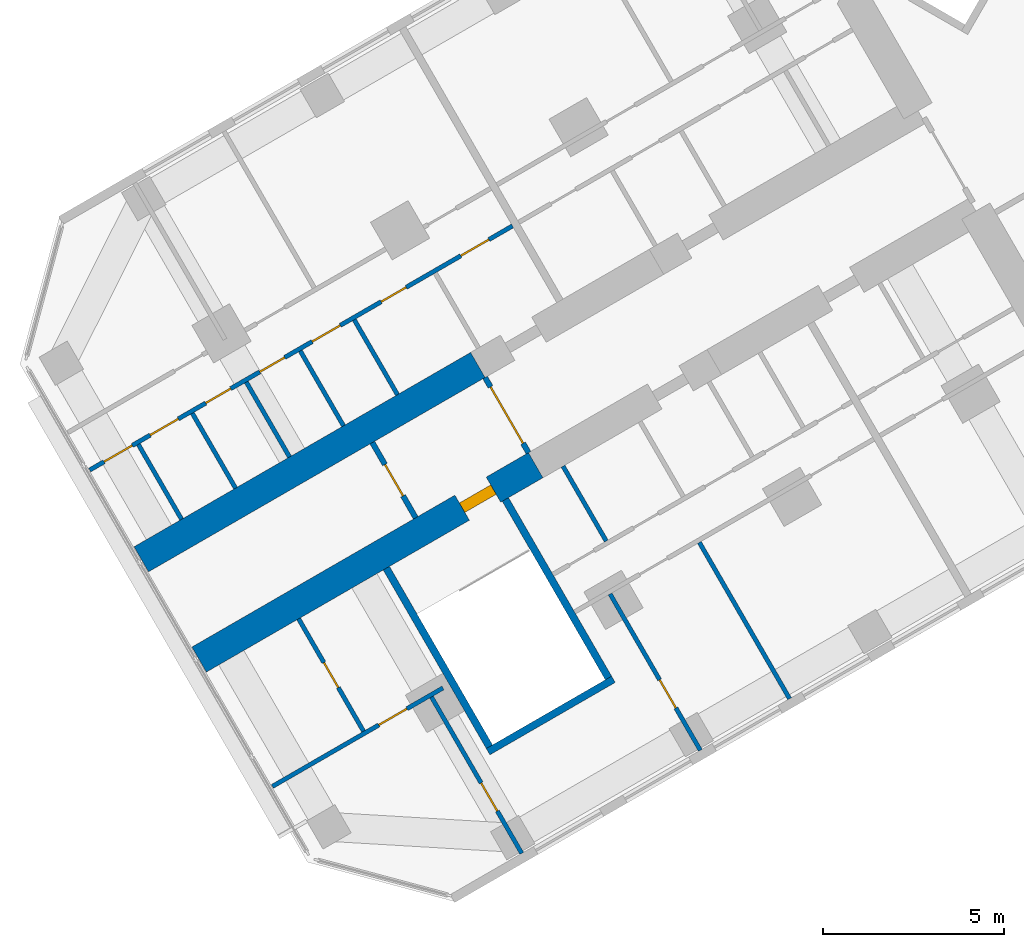
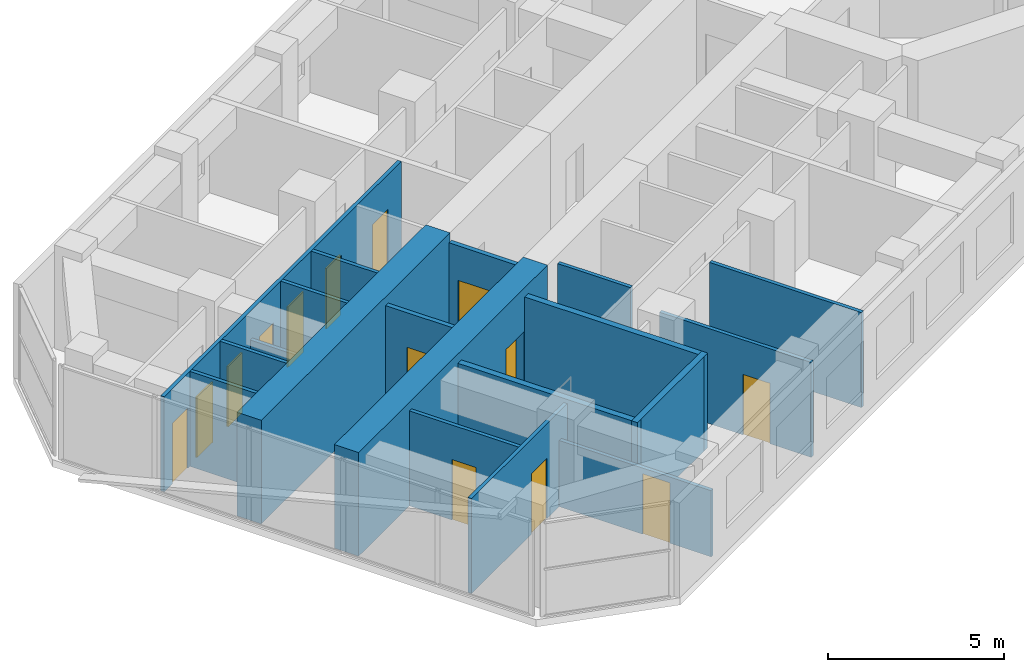
# One storey, part 10 of 20: 19 walls, 14 doors, 14 openings.
"""IFC4 building model written with IfcOpenShell, lengths in metres."""

import ifcopenshell
import ifcopenshell.guid

model = None  # the IFC model being written
_history = None  # IfcOwnerHistory: only IFC2X3 demands one
_inside = {}  # id of a spatial element -> (the spatial element, [elements in it])
_under = {}  # id of a project, library or spatial element -> (it, [spatial elements below it])
_declared = {}  # id of a project -> (the project, [libraries it declares])
_typed = {}  # id of a type object -> (the type object, [elements of that type])
_made_of = {}  # id of a material, layer set ... -> (it, [elements and type objects made of it])


def new_model(schema):
    """Start an empty IFC model of exactly this schema.

    Asked for "IFC4X3", IfcOpenShell would pick the latest addendum, in which some entities
    have other attributes; the version numbers below select the first issue.
    IFC2X3 requires an IfcOwnerHistory on every rooted entity: one is made here for all.
    """
    global model, _history
    if schema == "IFC4X3":
        model = ifcopenshell.file(schema_version=(4, 3, 0, 0))
    else:
        model = ifcopenshell.file(schema=schema)
    _inside.clear()
    _under.clear()
    _declared.clear()
    _typed.clear()
    _made_of.clear()
    _history = None
    if model.schema == "IFC2X3":
        org = make("IfcOrganization", Name="unknown")
        user = make(
            "IfcPersonAndOrganization",
            ThePerson=make("IfcPerson", FamilyName="unknown"),
            TheOrganization=org,
        )
        app = make(
            "IfcApplication",
            ApplicationDeveloper=org,
            Version="unknown",
            ApplicationFullName="unknown",
            ApplicationIdentifier="unknown",
        )
        _history = make(
            "IfcOwnerHistory",
            OwningUser=user,
            OwningApplication=app,
            ChangeAction="ADDED",
            CreationDate=0,
        )
    return model


def make(cls, **values):
    """One entity of the class cls with the attributes given. An attribute that is None is left unset."""
    return model.create_entity(
        cls, **{name: value for name, value in values.items() if value is not None}
    )


def rooted(cls, **values):
    """An entity with a GlobalId (a new one), such as an element, a storey or a relation."""
    return make(cls, GlobalId=ifcopenshell.guid.new(), OwnerHistory=_history, **values)


def si_unit(unit_type, name, prefix=None):
    """IfcSIUnit, for example si_unit("LENGTHUNIT", "METRE", prefix="MILLI")."""
    return make("IfcSIUnit", UnitType=unit_type, Prefix=prefix, Name=name)


def assignment(units):
    """IfcUnitAssignment: the units of a project."""
    return None if units is None else make("IfcUnitAssignment", Units=units)


def point(xyz):
    """IfcCartesianPoint."""
    return None if xyz is None else make("IfcCartesianPoint", Coordinates=xyz)


def direction(xyz):
    """IfcDirection."""
    return None if xyz is None else make("IfcDirection", DirectionRatios=xyz)


def frame(location, z_axis=None, x_axis=None):
    """IfcAxis2Placement3D, a coordinate frame: its origin and axes. An axis left out is left unset."""
    return make(
        "IfcAxis2Placement3D",
        Location=point(location),
        Axis=direction(z_axis),
        RefDirection=direction(x_axis),
    )


def frame_2d(location, x_axis=None):
    """IfcAxis2Placement2D, a coordinate frame in the plane: its origin and x axis."""
    return make(
        "IfcAxis2Placement2D", Location=point(location), RefDirection=direction(x_axis)
    )


def origin():
    """The frame at (0, 0, 0) with its axes left unset."""
    return frame((0.0, 0.0, 0.0))


def place(relative_to, where):
    """IfcLocalPlacement: puts the frame where relative to a parent placement (None: the world)."""
    return make(
        "IfcLocalPlacement", PlacementRelTo=relative_to, RelativePlacement=where
    )


def context(
    kind, dimensions, precision=None, world=None, true_north=None, identifier=None
):
    """IfcGeometricRepresentationContext, for example the 3D "Model" context."""
    return make(
        "IfcGeometricRepresentationContext",
        ContextIdentifier=identifier,
        ContextType=kind,
        CoordinateSpaceDimension=dimensions,
        Precision=precision,
        WorldCoordinateSystem=world,
        TrueNorth=true_north,
    )


def subcontext(parent, identifier, kind, view, scale=None):
    """IfcGeometricRepresentationSubContext, for example "Body" below "Model"."""
    return make(
        "IfcGeometricRepresentationSubContext",
        ContextIdentifier=identifier,
        ContextType=kind,
        ParentContext=parent,
        TargetScale=scale,
        TargetView=view,
    )


def project(units=None, contexts=None):
    """IfcProject with its units and contexts."""
    return rooted(
        "IfcProject",
        Name="project",
        RepresentationContexts=contexts,
        UnitsInContext=assignment(units),
    )


def spatial(cls, under=None, at=None, **own):
    """A site, building, storey or space (cls), placed at a placement, below another one or the project."""
    s = rooted(cls, ObjectPlacement=at, **own)
    if under is not None:
        _under.setdefault(under.id(), (under, []))[1].append(s)
    return s


def profile(cls, at=None, kind="AREA", **sizes):
    """A parametric profile (cls). Its sizes go by their IFC names, for example OverallWidth=200.0."""
    return make(cls, ProfileType=kind, Position=at, **sizes)


def rectangle(**sizes):
    """IfcRectangleProfileDef."""
    return profile("IfcRectangleProfileDef", **sizes)


def extrude(swept, where, along, depth):
    """IfcExtrudedAreaSolid: the profile swept, set in the frame where, extruded along a direction by depth."""
    return make(
        "IfcExtrudedAreaSolid",
        SweptArea=swept,
        Position=where,
        ExtrudedDirection=direction(along),
        Depth=depth,
    )


def shape(context_of_items, identifier, shape_type, items):
    """IfcShapeRepresentation: the items that make up one representation, for example the "Body"."""
    return make(
        "IfcShapeRepresentation",
        ContextOfItems=context_of_items,
        RepresentationIdentifier=identifier,
        RepresentationType=shape_type,
        Items=items,
    )


def material(Name=None, Category=None):
    """IfcMaterial."""
    return make("IfcMaterial", Name=Name, Category=Category)


def layer(
    of_material, thickness, ventilated=None, Name=None, Category=None, Priority=None
):
    """IfcMaterialLayer: one layer of a wall or slab, of a material (None: an air gap)."""
    return make(
        "IfcMaterialLayer",
        Material=of_material,
        LayerThickness=thickness,
        IsVentilated=ventilated,
        Name=Name,
        Category=Category,
        Priority=Priority,
    )


def layer_set(layers, Name=None):
    """IfcMaterialLayerSet."""
    return make("IfcMaterialLayerSet", MaterialLayers=layers, LayerSetName=Name)


def made_of(thing, what):
    """Note that an element or type object is made of a material, layer set ...; save() writes the relation."""
    if what is not None:
        _made_of.setdefault(what.id(), (what, []))[1].append(thing)
    return thing


def type_object(cls, material=None, **own):
    """A type object (cls), such as IfcWallType, which elements share."""
    return made_of(rooted(cls, **own), material)


def element(
    cls,
    number,
    at=None,
    inside=None,
    cuts=None,
    type_object=None,
    material=None,
    context=None,
    identifier="Body",
    shape_type=None,
    held_by="IfcProductDefinitionShape",
    body=None,
    shapes=None,
    **own,
):
    """One element of the class cls, such as IfcWall. Its Tag is "e" and its number.

    at: its placement. inside: the storey or other place that contains it. cuts: it is an
    opening in that element (IfcRelVoidsElement). A single representation is given by context,
    identifier, shape_type and body (its items); several are given by shapes. held_by: the class
    of the entity that holds the representations. save() writes the other relations.
    """
    e = rooted(cls, Tag="e%d" % number, ObjectPlacement=at, **own)
    if body is not None:
        shapes = [shape(context, identifier, shape_type, body)]
    if shapes is not None:
        e.Representation = make(held_by, Representations=shapes)
    if inside is not None:
        _inside.setdefault(inside.id(), (inside, []))[1].append(e)
    if cuts is not None:
        rooted(
            "IfcRelVoidsElement", RelatingBuildingElement=cuts, RelatedOpeningElement=e
        )
    if type_object is not None:
        _typed.setdefault(type_object.id(), (type_object, []))[1].append(e)
    return made_of(e, material)


def fill(opening, filler):
    """IfcRelFillsElement: the door or window that sits in an opening."""
    return rooted(
        "IfcRelFillsElement",
        RelatingOpeningElement=opening,
        RelatedBuildingElement=filler,
    )


def aggregate(whole, parts):
    """IfcRelAggregates: a whole, such as a stair, and the parts it consists of."""
    return rooted("IfcRelAggregates", RelatingObject=whole, RelatedObjects=parts)


def save(model, path):
    """Write the relations noted so far, then the file.

    IfcRelAggregates (storeys below a building ...), IfcRelContainedInSpatialStructure (elements
    in a storey), IfcRelDefinesByType, IfcRelAssociatesMaterial and IfcRelDeclares: one each for
    every whole, place, type object, material and project.
    """
    for whole, parts in _under.values():
        aggregate(whole, parts)
    for where, things in _inside.values():
        rooted(
            "IfcRelContainedInSpatialStructure",
            RelatedElements=things,
            RelatingStructure=where,
        )
    for kind, things in _typed.values():
        rooted("IfcRelDefinesByType", RelatedObjects=things, RelatingType=kind)
    for what, things in _made_of.values():
        rooted("IfcRelAssociatesMaterial", RelatedObjects=things, RelatingMaterial=what)
    for by, libraries in _declared.values():
        rooted("IfcRelDeclares", RelatingContext=by, RelatedDefinitions=libraries)
    model.write(path)


model = new_model("IFC4")

# Units and contexts
model_context = context("Model", 3, precision=1e-05, world=origin(), true_north=direction((0.0, 1.0)))
body_context = subcontext(model_context, "Body", "Model", "MODEL_VIEW")
ifc_project = project(units=[si_unit("LENGTHUNIT", "METRE"), si_unit("AREAUNIT", "SQUARE_METRE"), si_unit("VOLUMEUNIT", "CUBIC_METRE"), si_unit("PLANEANGLEUNIT", "RADIAN"), si_unit("MASSUNIT", "GRAM", prefix="KILO")], contexts=[model_context])

# Site, building, storey
site_placement = place(None, origin())
site = spatial("IfcSite", under=ifc_project, at=site_placement, CompositionType="ELEMENT")
building_placement = place(site_placement, origin())
building = spatial("IfcBuilding", under=site, at=building_placement, Name="Kosmar Iwan School Tower", CompositionType="ELEMENT")
storey_placement = place(building_placement, frame((0.0, 0.0, 183.199951171875)))
storey = spatial("IfcBuildingStorey", under=building, at=storey_placement, Name="L46", CompositionType="ELEMENT", Elevation=183.199951171875)

# Wall, opening, door
ifc_material_1 = material(Name="Concrete C50/60", Category="concrete")
ifc_layer_1 = layer(ifc_material_1, 0.800048828125)
ifc_layer_set_1 = layer_set([ifc_layer_1], Name="Corridor buttress wall 800")
wall_type_1 = type_object("IfcWallType", Name="Corridor buttress wall 800", PredefinedType="SHEAR", material=ifc_layer_set_1)
wall_1_placement = place(storey_placement, frame((-19.681396484375, -13.210693359375, 0.0), z_axis=(0.0, 0.0, 1.0), x_axis=(-0.866028186671, -0.499995179869, 0.0)))
wall_1 = element("IfcWall", 1, at=wall_1_placement, inside=storey, type_object=wall_type_1, Name="Corridor wall BL bay 3", PredefinedType="SHEAR", context=body_context, shape_type="SweptSolid", body=[
    extrude(rectangle(XDim=10.7451171875, YDim=0.800048828125, at=frame_2d((5.37255859375, 0.0))), origin(), (0.0, 0.0, 1.0), 3.60009765625),
])
opening_1_placement = place(wall_1_placement, frame((1.35009765625, 0.0, 0.0)))
opening_1 = element("IfcOpeningElement", 2, at=opening_1_placement, cuts=wall_1, Name="Opening D6", PredefinedType="OPENING", context=body_context, shape_type="SweptSolid", body=[
    extrude(rectangle(XDim=1.0, YDim=2.10009765625, at=frame_2d((0.5, 1.050048828125))), frame((0.0, 0.412109375, 0.0), z_axis=(0.0, -1.0, 0.0), x_axis=(1.0, 0.0, 0.0)), (0.0, 0.0, 1.0), 0.823974609375),
])
ifc_material_2 = material(Name="Steel fire door", Category="steel")
door_type_1 = type_object("IfcDoorType", Name="Stair door 1000x2100", OperationType="SINGLE_SWING_LEFT", PredefinedType="DOOR", material=ifc_material_2)
door_1_placement = place(opening_1_placement, origin())
door_1 = element("IfcDoor", 3, at=door_1_placement, inside=storey, type_object=door_type_1, Name="Stair WS2 door L46", OperationType="SINGLE_SWING_LEFT", OverallHeight=2.10009765625, OverallWidth=1.0, PredefinedType="DOOR", context=body_context, shape_type="SweptSolid", body=[
    extrude(rectangle(XDim=1.0, YDim=2.10009765625, at=frame_2d((0.5, 1.050048828125))), frame((0.0, 0.14990234375, 0.0), z_axis=(0.0, -1.0, 0.0), x_axis=(1.0, 0.0, 0.0)), (0.0, 0.0, 1.0), 0.300048828125),
])
fill(opening_1, door_1)

# Wall
wall_2_placement = place(storey_placement, frame((-21.281494140625, -10.439453125, 0.0), z_axis=(0.0, 0.0, 1.0), x_axis=(-0.866032345022, -0.499987977232, 0.0)))
element("IfcWall", 4, at=wall_2_placement, inside=storey, type_object=wall_type_1, Name="Corridor wall BR bay 3", PredefinedType="SHEAR", context=body_context, shape_type="SweptSolid", body=[
    extrude(rectangle(XDim=10.744873046875, YDim=0.800048828125, at=frame_2d((5.37255859375, 0.0))), origin(), (0.0, 0.0, 1.0), 3.60009765625),
])

# Wall, opening, door
ifc_material_3 = material(Name="Gypsum board on steel studs, fire-rated", Category="steel")
ifc_layer_2 = layer(ifc_material_3, 0.14990234375)
ifc_layer_set_2 = layer_set([ifc_layer_2], Name="Corridor end wall 150")
wall_type_2 = type_object("IfcWallType", Name="Corridor end wall 150", PredefinedType="PARTITIONING", material=ifc_layer_set_2)
wall_3_placement = place(storey_placement, frame((-24.19921875, -12.585693359375, 0.0), z_axis=(0.0, 0.0, 1.0), x_axis=(0.499957262057, -0.866050077142, 0.0)))
wall_3 = element("IfcWall", 5, at=wall_3_placement, inside=storey, type_object=wall_type_2, Name="Partition L46-B-CE", PredefinedType="PARTITIONING", context=body_context, shape_type="SweptSolid", body=[
    extrude(rectangle(XDim=2.400146484375, YDim=0.14990234375, at=frame_2d((1.2001953125, 0.0))), origin(), (0.0, 0.0, 1.0), 3.300048828125),
])
opening_2_placement = place(wall_3_placement, frame((0.699951171875, 0.0, 0.0)))
opening_2 = element("IfcOpeningElement", 6, at=opening_2_placement, cuts=wall_3, Name="Opening D13", PredefinedType="OPENING", context=body_context, shape_type="SweptSolid", body=[
    extrude(rectangle(XDim=1.0, YDim=2.10009765625, at=frame_2d((0.5, 1.050048828125))), frame((0.0, 0.0869140625, 0.0), z_axis=(0.0, -1.0, 0.0), x_axis=(1.0, 0.0, 0.0)), (0.0, 0.0, 1.0), 0.173828125),
])
ifc_material_4 = material(Name="Timber fire door with vision panel", Category="wood")
door_type_2 = type_object("IfcDoorType", Name="Corridor end door 1000x2100", OperationType="SINGLE_SWING_LEFT", PredefinedType="DOOR", material=ifc_material_4)
door_2_placement = place(opening_2_placement, origin())
door_2 = element("IfcDoor", 7, at=door_2_placement, inside=storey, type_object=door_type_2, Name="Laundry and drying room door L46-B", OperationType="SINGLE_SWING_LEFT", OverallHeight=2.10009765625, OverallWidth=1.0, PredefinedType="DOOR", context=body_context, shape_type="SweptSolid", body=[
    extrude(rectangle(XDim=1.0, YDim=2.10009765625, at=frame_2d((0.5, 1.050048828125))), frame((0.0, 0.02490234375, 0.0), z_axis=(0.0, -1.0, 0.0), x_axis=(1.0, 0.0, 0.0)), (0.0, 0.0, 1.0), 0.050048828125),
])
fill(opening_2, door_2)

wall_4_placement = place(storey_placement, frame((-21.08154296875, -10.78564453125, 0.0), z_axis=(0.0, 0.0, 1.0), x_axis=(0.499957262057, -0.866050077142, 0.0)))
wall_4 = element("IfcWall", 8, at=wall_4_placement, inside=storey, type_object=wall_type_2, Name="Partition L46-B-HW", PredefinedType="PARTITIONING", context=body_context, shape_type="SweptSolid", body=[
    extrude(rectangle(XDim=2.400146484375, YDim=0.14990234375, at=frame_2d((1.2001953125, 0.0))), origin(), (0.0, 0.0, 1.0), 3.300048828125),
])
opening_3_placement = place(wall_4_placement, frame((0.300048828125, 0.0, 0.0)))
opening_3 = element("IfcOpeningElement", 9, at=opening_3_placement, cuts=wall_4, Name="Opening D9", PredefinedType="OPENING", context=body_context, shape_type="SweptSolid", body=[
    extrude(rectangle(XDim=1.800048828125, YDim=2.10009765625, at=frame_2d((0.89990234375, 1.050048828125))), frame((0.0, 0.0869140625, 0.0), z_axis=(0.0, -1.0, 0.0), x_axis=(1.0, 0.0, 0.0)), (0.0, 0.0, 1.0), 0.173828125),
])
ifc_material_5 = material(Name="Steel framed glazed smoke door", Category="steel")
door_type_3 = type_object("IfcDoorType", Name="Corridor smoke door pair 1800x2100", OperationType="DOUBLE_DOOR_DOUBLE_SWING", PredefinedType="DOOR", material=ifc_material_5)
door_3_placement = place(opening_3_placement, origin())
door_3 = element("IfcDoor", 10, at=door_3_placement, inside=storey, type_object=door_type_3, Name="Hashti vestibule smoke doors L46-B", OperationType="DOUBLE_DOOR_DOUBLE_SWING", OverallHeight=2.10009765625, OverallWidth=1.800048828125, PredefinedType="DOOR", context=body_context, shape_type="SweptSolid", body=[
    extrude(rectangle(XDim=1.800048828125, YDim=2.10009765625, at=frame_2d((0.89990234375, 1.050048828125))), frame((0.0, 0.02490234375, 0.0), z_axis=(0.0, -1.0, 0.0), x_axis=(1.0, 0.0, 0.0)), (0.0, 0.0, 1.0), 0.050048828125),
])
fill(opening_3, door_3)

# Walls
ifc_material_6 = material(Name="Gypsum board on steel studs", Category="steel")
ifc_layer_3 = layer(ifc_material_6, 0.1201171875)
ifc_layer_set_3 = layer_set([ifc_layer_3], Name="Dwelling partition 120")
wall_type_3 = type_object("IfcWallType", Name="Dwelling partition 120", PredefinedType="PARTITIONING", material=ifc_layer_set_3)
wall_5_placement = place(storey_placement, frame((-15.158447265625, -15.344970703125, 0.0), z_axis=(0.0, 0.0, 1.0), x_axis=(0.500011847778, -0.866018563358, 0.0)))
element("IfcWall", 11, at=wall_5_placement, inside=storey, type_object=wall_type_3, Name="Partition L46-BL2-X1", PredefinedType="PARTITIONING", context=body_context, shape_type="SweptSolid", body=[
    extrude(rectangle(XDim=4.990234375, YDim=0.1201171875, at=frame_2d((2.4951171875, 0.0))), origin(), (0.0, 0.0, 1.0), 3.300048828125),
])
wall_6_placement = place(storey_placement, frame((-18.92724609375, -13.237060546875, 0.0), z_axis=(0.0, 0.0, 1.0), x_axis=(0.500017192868, -0.86601547725, 0.0)))
element("IfcWall", 12, at=wall_6_placement, inside=storey, type_object=wall_type_3, Name="Partition L46-BL2-Y4", PredefinedType="PARTITIONING", context=body_context, shape_type="SweptSolid", body=[
    extrude(rectangle(XDim=2.39013671875, YDim=0.1201171875, at=frame_2d((1.195068359375, 0.0))), origin(), (0.0, 0.0, 1.0), 3.300048828125),
])

# Wall, opening, door
wall_7_placement = place(storey_placement, frame((-17.62646484375, -16.77001953125, 0.0), z_axis=(0.0, 0.0, 1.0), x_axis=(0.499975153383, -0.86603974851, 0.0)))
wall_7 = element("IfcWall", 13, at=wall_7_placement, inside=storey, type_object=wall_type_3, Name="Partition L46-BL2-TB", PredefinedType="PARTITIONING", context=body_context, shape_type="SweptSolid", body=[
    extrude(rectangle(XDim=4.989990234375, YDim=0.1201171875, at=frame_2d((2.4951171875, 0.0))), origin(), (0.0, 0.0, 1.0), 3.300048828125),
])
opening_4_placement = place(wall_7_placement, frame((2.739990234375, 0.0, 0.0)))
opening_4 = element("IfcOpeningElement", 14, at=opening_4_placement, cuts=wall_7, Name="Opening D2", PredefinedType="OPENING", context=body_context, shape_type="SweptSolid", body=[
    extrude(rectangle(XDim=0.89990234375, YDim=2.10009765625, at=frame_2d((0.449951171875, 1.050048828125))), frame((0.0, 0.072021484375, 0.0), z_axis=(0.0, -1.0, 0.0), x_axis=(1.0, 0.0, 0.0)), (0.0, 0.0, 1.0), 0.14404296875),
])
ifc_material_7 = material(Name="Timber door in timber frame", Category="wood")
door_type_4 = type_object("IfcDoorType", Name="Internal door 900x2100", OperationType="SINGLE_SWING_LEFT", PredefinedType="DOOR", material=ifc_material_7)
door_4_placement = place(opening_4_placement, origin())
door_4 = element("IfcDoor", 15, at=door_4_placement, inside=storey, type_object=door_type_4, Name="Study door L46-BL2-F2", OperationType="SINGLE_SWING_RIGHT", OverallHeight=2.10009765625, OverallWidth=0.89990234375, PredefinedType="DOOR", context=body_context, shape_type="SweptSolid", body=[
    extrude(rectangle(XDim=0.89990234375, YDim=2.10009765625, at=frame_2d((0.449951171875, 1.050048828125))), frame((0.0, 0.02490234375, 0.0), z_axis=(0.0, -1.0, 0.0), x_axis=(1.0, 0.0, 0.0)), (0.0, 0.0, 1.0), 0.050048828125),
])
fill(opening_4, door_4)

wall_8_placement = place(storey_placement, frame((-22.562744140625, -19.6201171875, 0.0), z_axis=(0.0, 0.0, 1.0), x_axis=(0.499996339024, -0.86602751744, 0.0)))
wall_8 = element("IfcWall", 16, at=wall_8_placement, inside=storey, type_object=wall_type_3, Name="Partition L46-BL2-TX", PredefinedType="PARTITIONING", context=body_context, shape_type="SweptSolid", body=[
    extrude(rectangle(XDim=4.98974609375, YDim=0.1201171875, at=frame_2d((2.494873046875, 0.0))), origin(), (0.0, 0.0, 1.0), 2.300048828125),
])
opening_5_placement = place(wall_8_placement, frame((2.739990234375, 0.0, 0.0)))
opening_5 = element("IfcOpeningElement", 17, at=opening_5_placement, cuts=wall_8, Name="Opening D2", PredefinedType="OPENING", context=body_context, shape_type="SweptSolid", body=[
    extrude(rectangle(XDim=0.89990234375, YDim=2.10009765625, at=frame_2d((0.449951171875, 1.050048828125))), frame((0.0, 0.072021484375, 0.0), z_axis=(0.0, -1.0, 0.0), x_axis=(1.0, 0.0, 0.0)), (0.0, 0.0, 1.0), 0.14404296875),
])
door_5_placement = place(opening_5_placement, origin())
door_5 = element("IfcDoor", 18, at=door_5_placement, inside=storey, type_object=door_type_4, Name="Study door L46-BL2-T1", OperationType="SINGLE_SWING_RIGHT", OverallHeight=2.10009765625, OverallWidth=0.89990234375, PredefinedType="DOOR", context=body_context, shape_type="SweptSolid", body=[
    extrude(rectangle(XDim=0.89990234375, YDim=2.10009765625, at=frame_2d((0.449951171875, 1.050048828125))), frame((0.0, 0.02490234375, 0.0), z_axis=(0.0, -1.0, 0.0), x_axis=(1.0, 0.0, 0.0)), (0.0, 0.0, 1.0), 0.050048828125),
])
fill(opening_5, door_5)

wall_9_placement = place(storey_placement, frame((-22.246337890625, -19.3681640625, 0.0), z_axis=(0.0, 0.0, 1.0), x_axis=(-0.866035508231, -0.499982498177, 0.0)))
wall_9 = element("IfcWall", 19, at=wall_9_placement, inside=storey, type_object=wall_type_3, Name="Partition L46-BL2-TW", PredefinedType="PARTITIONING", context=body_context, shape_type="SweptSolid", body=[
    extrude(rectangle(XDim=5.445068359375, YDim=0.1201171875, at=frame_2d((2.72265625, 0.0))), origin(), (0.0, 0.0, 1.0), 3.300048828125),
])
opening_6_placement = place(wall_9_placement, frame((1.14990234375, 0.0, 0.0)))
opening_6 = element("IfcOpeningElement", 20, at=opening_6_placement, cuts=wall_9, Name="Opening D2", PredefinedType="OPENING", context=body_context, shape_type="SweptSolid", body=[
    extrude(rectangle(XDim=0.89990234375, YDim=2.10009765625, at=frame_2d((0.449951171875, 1.050048828125))), frame((0.0, 0.072021484375, 0.0), z_axis=(0.0, -1.0, 0.0), x_axis=(1.0, 0.0, 0.0)), (0.0, 0.0, 1.0), 0.14404296875),
])
door_6_placement = place(opening_6_placement, origin())
door_6 = element("IfcDoor", 21, at=door_6_placement, inside=storey, type_object=door_type_4, Name="Dressing room door L46-BL2-T3", OperationType="SINGLE_SWING_LEFT", OverallHeight=2.10009765625, OverallWidth=0.89990234375, PredefinedType="DOOR", context=body_context, shape_type="SweptSolid", body=[
    extrude(rectangle(XDim=0.89990234375, YDim=2.10009765625, at=frame_2d((0.449951171875, 1.050048828125))), frame((0.0, 0.02490234375, 0.0), z_axis=(0.0, -1.0, 0.0), x_axis=(1.0, 0.0, 0.0)), (0.0, 0.0, 1.0), 0.050048828125),
])
fill(opening_6, door_6)

wall_10_placement = place(storey_placement, frame((-26.236572265625, -17.45703125, 0.0), z_axis=(0.0, 0.0, 1.0), x_axis=(0.50002266109, -0.866012320003, 0.0)))
wall_10 = element("IfcWall", 22, at=wall_10_placement, inside=storey, type_object=wall_type_3, Name="Partition L46-BL2-TY", PredefinedType="PARTITIONING", context=body_context, shape_type="SweptSolid", body=[
    extrude(rectangle(XDim=3.590087890625, YDim=0.1201171875, at=frame_2d((1.794921875, 0.0))), origin(), (0.0, 0.0, 1.0), 3.300048828125),
])
opening_7_placement = place(wall_10_placement, frame((1.39501953125, 0.0, 0.0)))
opening_7 = element("IfcOpeningElement", 23, at=opening_7_placement, cuts=wall_10, Name="Opening D3", PredefinedType="OPENING", context=body_context, shape_type="SweptSolid", body=[
    extrude(rectangle(XDim=0.800048828125, YDim=2.10009765625, at=frame_2d((0.39990234375, 1.050048828125))), frame((0.0, 0.072021484375, 0.0), z_axis=(0.0, -1.0, 0.0), x_axis=(1.0, 0.0, 0.0)), (0.0, 0.0, 1.0), 0.14404296875),
])
ifc_material_8 = material(Name="Timber door in timber frame", Category="wood")
door_type_5 = type_object("IfcDoorType", Name="Sanitary room door 800x2100", OperationType="SINGLE_SWING_LEFT", PredefinedType="DOOR", material=ifc_material_8)
door_7_placement = place(opening_7_placement, origin())
door_7 = element("IfcDoor", 24, at=door_7_placement, inside=storey, type_object=door_type_5, Name="Shower room door L46-BL2-T4", OperationType="SINGLE_SWING_RIGHT", OverallHeight=2.10009765625, OverallWidth=0.800048828125, PredefinedType="DOOR", context=body_context, shape_type="SweptSolid", body=[
    extrude(rectangle(XDim=0.800048828125, YDim=2.10009765625, at=frame_2d((0.39990234375, 1.050048828125))), frame((0.0, 0.02490234375, 0.0), z_axis=(0.0, -1.0, 0.0), x_axis=(1.0, 0.0, 0.0)), (0.0, 0.0, 1.0), 0.050048828125),
])
fill(opening_7, door_7)

# Wall, openings, doors
wall_11_placement = place(storey_placement, frame((-20.324951171875, -6.59619140625, 0.0), z_axis=(0.0, 0.0, 1.0), x_axis=(-0.866023503214, -0.50000329187, 0.0)))
wall_11 = element("IfcWall", 25, at=wall_11_placement, inside=storey, type_object=wall_type_3, Name="Partition L46-BR2-W1", PredefinedType="PARTITIONING", context=body_context, shape_type="SweptSolid", body=[
    extrude(rectangle(XDim=13.4951171875, YDim=0.1201171875, at=frame_2d((6.74755859375, 0.0))), origin(), (0.0, 0.0, 1.0), 3.300048828125),
])
opening_8_placement = place(wall_11_placement, frame((0.75, 0.0, 0.0)))
opening_8 = element("IfcOpeningElement", 26, at=opening_8_placement, cuts=wall_11, Name="Opening D2", PredefinedType="OPENING", context=body_context, shape_type="SweptSolid", body=[
    extrude(rectangle(XDim=0.89990234375, YDim=2.10009765625, at=frame_2d((0.449951171875, 1.050048828125))), frame((0.0, 0.072021484375, 0.0), z_axis=(0.0, -1.0, 0.0), x_axis=(1.0, 0.0, 0.0)), (0.0, 0.0, 1.0), 0.14404296875),
])
opening_9_placement = place(wall_11_placement, frame((3.392333984375, 0.0, 0.0)))
opening_9 = element("IfcOpeningElement", 27, at=opening_9_placement, cuts=wall_11, Name="Opening D3", PredefinedType="OPENING", context=body_context, shape_type="SweptSolid", body=[
    extrude(rectangle(XDim=0.800048828125, YDim=2.10009765625, at=frame_2d((0.39990234375, 1.050048828125))), frame((0.0, 0.072021484375, 0.0), z_axis=(0.0, -1.0, 0.0), x_axis=(1.0, 0.0, 0.0)), (0.0, 0.0, 1.0), 0.14404296875),
])
opening_10_placement = place(wall_11_placement, frame((5.49609375, 0.0, 0.0)))
opening_10 = element("IfcOpeningElement", 28, at=opening_10_placement, cuts=wall_11, Name="Opening D2", PredefinedType="OPENING", context=body_context, shape_type="SweptSolid", body=[
    extrude(rectangle(XDim=0.89990234375, YDim=2.10009765625, at=frame_2d((0.449951171875, 1.050048828125))), frame((0.0, 0.072021484375, 0.0), z_axis=(0.0, -1.0, 0.0), x_axis=(1.0, 0.0, 0.0)), (0.0, 0.0, 1.0), 0.14404296875),
])
opening_11_placement = place(wall_11_placement, frame((7.269287109375, 0.0, 0.0)))
opening_11 = element("IfcOpeningElement", 29, at=opening_11_placement, cuts=wall_11, Name="Opening D3", PredefinedType="OPENING", context=body_context, shape_type="SweptSolid", body=[
    extrude(rectangle(XDim=0.800048828125, YDim=2.10009765625, at=frame_2d((0.39990234375, 1.050048828125))), frame((0.0, 0.072021484375, 0.0), z_axis=(0.0, -1.0, 0.0), x_axis=(1.0, 0.0, 0.0)), (0.0, 0.0, 1.0), 0.14404296875),
])
opening_12_placement = place(wall_11_placement, frame((8.992431640625, 0.0, 0.0)))
opening_12 = element("IfcOpeningElement", 30, at=opening_12_placement, cuts=wall_11, Name="Opening D3", PredefinedType="OPENING", context=body_context, shape_type="SweptSolid", body=[
    extrude(rectangle(XDim=0.800048828125, YDim=2.10009765625, at=frame_2d((0.39990234375, 1.050048828125))), frame((0.0, 0.072021484375, 0.0), z_axis=(0.0, -1.0, 0.0), x_axis=(1.0, 0.0, 0.0)), (0.0, 0.0, 1.0), 0.14404296875),
])
opening_13_placement = place(wall_11_placement, frame((10.665283203125, 0.0, 0.0)))
opening_13 = element("IfcOpeningElement", 31, at=opening_13_placement, cuts=wall_11, Name="Opening D2", PredefinedType="OPENING", context=body_context, shape_type="SweptSolid", body=[
    extrude(rectangle(XDim=0.89990234375, YDim=2.10009765625, at=frame_2d((0.449951171875, 1.050048828125))), frame((0.0, 0.072021484375, 0.0), z_axis=(0.0, -1.0, 0.0), x_axis=(1.0, 0.0, 0.0)), (0.0, 0.0, 1.0), 0.14404296875),
])
opening_14_placement = place(wall_11_placement, frame((12.136962890625, 0.0, 0.0)))
opening_14 = element("IfcOpeningElement", 32, at=opening_14_placement, cuts=wall_11, Name="Opening D2", PredefinedType="OPENING", context=body_context, shape_type="SweptSolid", body=[
    extrude(rectangle(XDim=0.89990234375, YDim=2.10009765625, at=frame_2d((0.449951171875, 1.050048828125))), frame((0.0, 0.072021484375, 0.0), z_axis=(0.0, -1.0, 0.0), x_axis=(1.0, 0.0, 0.0)), (0.0, 0.0, 1.0), 0.14404296875),
])
door_8_placement = place(opening_8_placement, origin())
door_8 = element("IfcDoor", 33, at=door_8_placement, inside=storey, type_object=door_type_4, Name="Entrance hall door L46-BR2-S1", OperationType="SINGLE_SWING_LEFT", OverallHeight=2.10009765625, OverallWidth=0.89990234375, PredefinedType="DOOR", context=body_context, shape_type="SweptSolid", body=[
    extrude(rectangle(XDim=0.89990234375, YDim=2.10009765625, at=frame_2d((0.449951171875, 1.050048828125))), frame((0.0, 0.02490234375, 0.0), z_axis=(0.0, -1.0, 0.0), x_axis=(1.0, 0.0, 0.0)), (0.0, 0.0, 1.0), 0.050048828125),
])
fill(opening_8, door_8)
door_9_placement = place(opening_10_placement, origin())
door_9 = element("IfcDoor", 34, at=door_9_placement, inside=storey, type_object=door_type_4, Name="Pantry door L46-BR2-S3", OperationType="SINGLE_SWING_LEFT", OverallHeight=2.10009765625, OverallWidth=0.89990234375, PredefinedType="DOOR", context=body_context, shape_type="SweptSolid", body=[
    extrude(rectangle(XDim=0.89990234375, YDim=2.10009765625, at=frame_2d((0.449951171875, 1.050048828125))), frame((0.0, 0.02490234375, 0.0), z_axis=(0.0, -1.0, 0.0), x_axis=(1.0, 0.0, 0.0)), (0.0, 0.0, 1.0), 0.050048828125),
])
fill(opening_10, door_9)
door_10_placement = place(opening_13_placement, origin())
door_10 = element("IfcDoor", 35, at=door_10_placement, inside=storey, type_object=door_type_4, Name="Utility room door L46-BR2-S6", OperationType="SINGLE_SWING_RIGHT", OverallHeight=2.10009765625, OverallWidth=0.89990234375, PredefinedType="DOOR", context=body_context, shape_type="SweptSolid", body=[
    extrude(rectangle(XDim=0.89990234375, YDim=2.10009765625, at=frame_2d((0.449951171875, 1.050048828125))), frame((0.0, 0.02490234375, 0.0), z_axis=(0.0, -1.0, 0.0), x_axis=(1.0, 0.0, 0.0)), (0.0, 0.0, 1.0), 0.050048828125),
])
fill(opening_13, door_10)
door_11_placement = place(opening_14_placement, origin())
door_11 = element("IfcDoor", 36, at=door_11_placement, inside=storey, type_object=door_type_4, Name="Dressing room door L46-BR2-S7", OperationType="SINGLE_SWING_LEFT", OverallHeight=2.10009765625, OverallWidth=0.89990234375, PredefinedType="DOOR", context=body_context, shape_type="SweptSolid", body=[
    extrude(rectangle(XDim=0.89990234375, YDim=2.10009765625, at=frame_2d((0.449951171875, 1.050048828125))), frame((0.0, 0.02490234375, 0.0), z_axis=(0.0, -1.0, 0.0), x_axis=(1.0, 0.0, 0.0)), (0.0, 0.0, 1.0), 0.050048828125),
])
fill(opening_14, door_11)
door_12_placement = place(opening_9_placement, origin())
door_12 = element("IfcDoor", 37, at=door_12_placement, inside=storey, type_object=door_type_5, Name="Bathroom door L46-BR2-S2", OperationType="SINGLE_SWING_RIGHT", OverallHeight=2.10009765625, OverallWidth=0.800048828125, PredefinedType="DOOR", context=body_context, shape_type="SweptSolid", body=[
    extrude(rectangle(XDim=0.800048828125, YDim=2.10009765625, at=frame_2d((0.39990234375, 1.050048828125))), frame((0.0, 0.02490234375, 0.0), z_axis=(0.0, -1.0, 0.0), x_axis=(1.0, 0.0, 0.0)), (0.0, 0.0, 1.0), 0.050048828125),
])
fill(opening_9, door_12)
door_13_placement = place(opening_11_placement, origin())
door_13 = element("IfcDoor", 38, at=door_13_placement, inside=storey, type_object=door_type_5, Name="WC door L46-BR2-S4", OperationType="SINGLE_SWING_RIGHT", OverallHeight=2.10009765625, OverallWidth=0.800048828125, PredefinedType="DOOR", context=body_context, shape_type="SweptSolid", body=[
    extrude(rectangle(XDim=0.800048828125, YDim=2.10009765625, at=frame_2d((0.39990234375, 1.050048828125))), frame((0.0, 0.02490234375, 0.0), z_axis=(0.0, -1.0, 0.0), x_axis=(1.0, 0.0, 0.0)), (0.0, 0.0, 1.0), 0.050048828125),
])
fill(opening_11, door_13)
door_14_placement = place(opening_12_placement, origin())
door_14 = element("IfcDoor", 39, at=door_14_placement, inside=storey, type_object=door_type_5, Name="Store door L46-BR2-S5", OperationType="SINGLE_SWING_LEFT", OverallHeight=2.10009765625, OverallWidth=0.800048828125, PredefinedType="DOOR", context=body_context, shape_type="SweptSolid", body=[
    extrude(rectangle(XDim=0.800048828125, YDim=2.10009765625, at=frame_2d((0.39990234375, 1.050048828125))), frame((0.0, 0.02490234375, 0.0), z_axis=(0.0, -1.0, 0.0), x_axis=(1.0, 0.0, 0.0)), (0.0, 0.0, 1.0), 0.050048828125),
])
fill(opening_12, door_14)

# Walls
wall_12_placement = place(storey_placement, frame((-23.50341796875, -11.26025390625, 0.0), z_axis=(0.0, 0.0, 1.0), x_axis=(-0.499940577336, 0.866059708757, 0.0)))
element("IfcWall", 40, at=wall_12_placement, inside=storey, type_object=wall_type_3, Name="Partition L46-BR2-Y2", PredefinedType="PARTITIONING", context=body_context, shape_type="SweptSolid", body=[
    extrude(rectangle(XDim=2.389892578125, YDim=0.1201171875, at=frame_2d((1.19482421875, 0.0))), origin(), (0.0, 0.0, 1.0), 3.300048828125),
])
wall_13_placement = place(storey_placement, frame((-24.99560546875, -12.121826171875, 0.0), z_axis=(0.0, 0.0, 1.0), x_axis=(-0.500017192868, 0.86601547725, 0.0)))
element("IfcWall", 41, at=wall_13_placement, inside=storey, type_object=wall_type_3, Name="Partition L46-BR2-Y3", PredefinedType="PARTITIONING", context=body_context, shape_type="SweptSolid", body=[
    extrude(rectangle(XDim=2.39013671875, YDim=0.1201171875, at=frame_2d((1.195068359375, 0.0))), origin(), (0.0, 0.0, 1.0), 3.300048828125),
])
wall_14_placement = place(storey_placement, frame((-26.48779296875, -12.9833984375, 0.0), z_axis=(0.0, 0.0, 1.0), x_axis=(-0.500017192868, 0.86601547725, 0.0)))
element("IfcWall", 42, at=wall_14_placement, inside=storey, type_object=wall_type_3, Name="Partition L46-BR2-Y4", PredefinedType="PARTITIONING", context=body_context, shape_type="SweptSolid", body=[
    extrude(rectangle(XDim=2.39013671875, YDim=0.1201171875, at=frame_2d((1.195068359375, 0.0))), origin(), (0.0, 0.0, 1.0), 2.300048828125),
])
wall_15_placement = place(storey_placement, frame((-27.97998046875, -13.844970703125, 0.0), z_axis=(0.0, 0.0, 1.0), x_axis=(-0.500017192868, 0.86601547725, 0.0)))
element("IfcWall", 43, at=wall_15_placement, inside=storey, type_object=wall_type_3, Name="Partition L46-BR2-Y5", PredefinedType="PARTITIONING", context=body_context, shape_type="SweptSolid", body=[
    extrude(rectangle(XDim=2.39013671875, YDim=0.1201171875, at=frame_2d((1.195068359375, 0.0))), origin(), (0.0, 0.0, 1.0), 3.300048828125),
])
wall_16_placement = place(storey_placement, frame((-29.47216796875, -14.706298828125, 0.0), z_axis=(0.0, 0.0, 1.0), x_axis=(-0.500061428766, 0.865989934965, 0.0)))
element("IfcWall", 44, at=wall_16_placement, inside=storey, type_object=wall_type_3, Name="Partition L46-BR2-Y6", PredefinedType="PARTITIONING", context=body_context, shape_type="SweptSolid", body=[
    extrude(rectangle(XDim=2.389892578125, YDim=0.1201171875, at=frame_2d((1.19482421875, 0.0))), origin(), (0.0, 0.0, 1.0), 3.300048828125),
])
ifc_material_9 = material(Name="Concrete C35/45", Category="concrete")
ifc_layer_4 = layer(ifc_material_9, 0.199951171875)
ifc_layer_set_4 = layer_set([ifc_layer_4], Name="Escape stair wall 200")
wall_type_4 = type_object("IfcWallType", Name="Escape stair wall 200", PredefinedType="SHEAR", material=ifc_layer_set_4)
wall_17_placement = place(storey_placement, frame((-20.520751953125, -14.156982421875, 0.0), z_axis=(0.0, 0.0, 1.0), x_axis=(0.499988710057, -0.866031921938, 0.0)))
element("IfcWall", 45, at=wall_17_placement, inside=storey, type_object=wall_type_4, Name="Stair WS2 wall", PredefinedType="SHEAR", context=body_context, shape_type="SweptSolid", body=[
    extrude(rectangle(XDim=5.900146484375, YDim=0.199951171875, at=frame_2d((2.9501953125, 0.0))), origin(), (0.0, 0.0, 1.0), 3.280029296875),
])
wall_18_placement = place(storey_placement, frame((-23.8115234375, -16.05712890625, 0.0), z_axis=(0.0, 0.0, 1.0), x_axis=(0.500006628179, -0.86602157697, 0.0)))
element("IfcWall", 46, at=wall_18_placement, inside=storey, type_object=wall_type_4, Name="Stair WS2 wall", PredefinedType="SHEAR", context=body_context, shape_type="SweptSolid", body=[
    extrude(rectangle(XDim=5.89990234375, YDim=0.199951171875, at=frame_2d((2.949951171875, 0.0))), origin(), (0.0, 0.0, 1.0), 3.280029296875),
])
wall_19_placement = place(storey_placement, frame((-17.5341796875, -19.1298828125, 0.0), z_axis=(0.0, 0.0, 1.0), x_axis=(-0.866026010844, -0.49999894854, 0.0)))
element("IfcWall", 47, at=wall_19_placement, inside=storey, type_object=wall_type_4, Name="Stair WS2 wall", PredefinedType="SHEAR", context=body_context, shape_type="SweptSolid", body=[
    extrude(rectangle(XDim=4.0, YDim=0.199951171875, at=frame_2d((2.0, 0.0))), origin(), (0.0, 0.0, 1.0), 3.280029296875),
])

save(model, "model.ifc")
